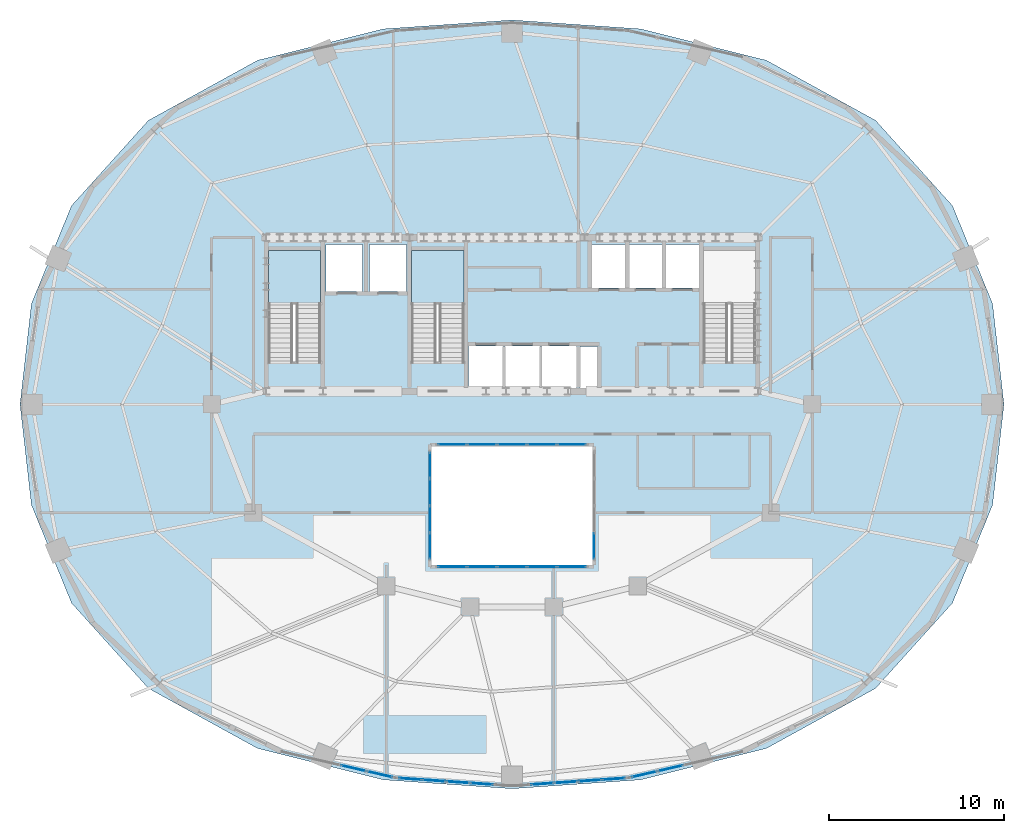
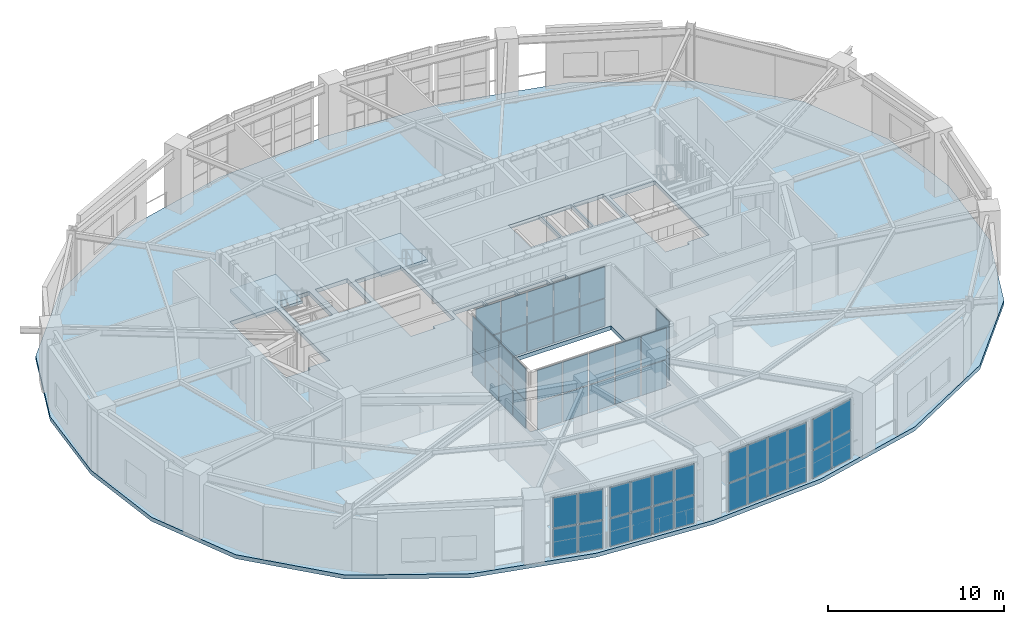
# One storey, part 9 of 16: 54 plates, 3 slabs, 10 elements without a shape of their own.
"""IFC4 building model written with IfcOpenShell, lengths in metres."""

from ifc_helpers import new_model, si_unit, direction, frame, origin, origin_2d, place, context, subcontext, project, spatial, polyline, rectangle, outline, extrude, material, layer, layer_set, type_object, element, aggregate, save


model = new_model("IFC4")

# Units and contexts
model_context = context("Model", 3, precision=1e-05, world=origin(), true_north=direction((0.0, 1.0)))
body_context = subcontext(model_context, "Body", "Model", "MODEL_VIEW")
ifc_project = project(units=[si_unit("LENGTHUNIT", "METRE"), si_unit("AREAUNIT", "SQUARE_METRE"), si_unit("VOLUMEUNIT", "CUBIC_METRE"), si_unit("PLANEANGLEUNIT", "RADIAN"), si_unit("MASSUNIT", "GRAM", prefix="KILO")], contexts=[model_context])

# Site, building, storey
site_placement = place(None, origin())
site = spatial("IfcSite", under=ifc_project, at=site_placement, CompositionType="ELEMENT")
building_placement = place(site_placement, origin())
building = spatial("IfcBuilding", under=site, at=building_placement, Name="Haldorwick Loom Tower", CompositionType="ELEMENT")
storey_placement = place(building_placement, frame((0.0, 0.0, 200.35009765625)))
storey = spatial("IfcBuildingStorey", under=building, at=storey_placement, Name="L54", CompositionType="ELEMENT", Elevation=200.35009765625)

# Curtain wall, plates
ifc_material_1 = material(Name="Thermally Broken Anodized Aluminium Curtain Wall Framing", Category="aluminium")
curtain_wall_type_1 = type_object("IfcCurtainWallType", Name="ARC-CW-03", PredefinedType="NOTDEFINED", material=ifc_material_1)
curtain_wall_1_placement = place(storey_placement, origin())
curtain_wall_1 = element("IfcCurtainWall", 1, at=curtain_wall_1_placement, inside=storey, type_object=curtain_wall_type_1, Name="L54 Atrium Glazed Screen S", PredefinedType="NOTDEFINED")
ifc_material_2 = material(Name="Triple-Glazed Low-E Argon Insulated Glazing Unit", Category="glass")
ifc_layer_1 = layer(ifc_material_2, 0.04296875, Name="Triple-Glazed Low-E Argon Insulated Glazing Unit", Category="glass")
ifc_layer_set_1 = layer_set([ifc_layer_1], Name="Triple-Glazed Low-E Argon Insulated Glazing Unit")
plate_type_1 = type_object("IfcPlateType", Name="ARC-CWP-03", PredefinedType="CURTAIN_PANEL", material=ifc_layer_set_1)
plate_1_placement = place(storey_placement, frame((39.423583984375, 16.699951171875, 0.06591796875), z_axis=(0.0, 0.0, 1.0), x_axis=(-1.0, 0.0, 0.0)))
plate_1 = element("IfcPlate", 2, at=plate_1_placement, type_object=plate_type_1, Name="CW-03 panel 1.1", PredefinedType="CURTAIN_PANEL", context=body_context, shape_type="SweptSolid", body=[
    extrude(rectangle(XDim=1.62109375, YDim=0.04296875, at=origin_2d()), origin(), (0.0, 0.0, 1.0), 1.90087890625),
])
plate_2_placement = place(storey_placement, frame((39.423583984375, 16.699951171875, 2.03271484375), z_axis=(0.0, 0.0, 1.0), x_axis=(-1.0, 0.0, 0.0)))
plate_2 = element("IfcPlate", 3, at=plate_2_placement, type_object=plate_type_1, Name="CW-03 panel 1.2", PredefinedType="CURTAIN_PANEL", context=body_context, shape_type="SweptSolid", body=[
    extrude(rectangle(XDim=1.62109375, YDim=0.04296875, at=origin_2d()), origin(), (0.0, 0.0, 1.0), 2.160888671875),
])
plate_3_placement = place(storey_placement, frame((37.719970703125, 16.699951171875, 0.06591796875), z_axis=(0.0, 0.0, 1.0), x_axis=(-1.0, 0.0, 0.0)))
plate_3 = element("IfcPlate", 4, at=plate_3_placement, type_object=plate_type_1, Name="CW-03 panel 2.1", PredefinedType="CURTAIN_PANEL", context=body_context, shape_type="SweptSolid", body=[
    extrude(rectangle(XDim=1.654052734375, YDim=0.04296875, at=origin_2d()), origin(), (0.0, 0.0, 1.0), 1.90087890625),
])
plate_4_placement = place(storey_placement, frame((37.719970703125, 16.699951171875, 2.03271484375), z_axis=(0.0, 0.0, 1.0), x_axis=(-1.0, 0.0, 0.0)))
plate_4 = element("IfcPlate", 5, at=plate_4_placement, type_object=plate_type_1, Name="CW-03 panel 2.2", PredefinedType="CURTAIN_PANEL", context=body_context, shape_type="SweptSolid", body=[
    extrude(rectangle(XDim=1.654052734375, YDim=0.04296875, at=origin_2d()), origin(), (0.0, 0.0, 1.0), 2.160888671875),
])
plate_5_placement = place(storey_placement, frame((36.0, 16.699951171875, 0.06591796875), z_axis=(0.0, 0.0, 1.0), x_axis=(-1.0, 0.0, 0.0)))
plate_5 = element("IfcPlate", 6, at=plate_5_placement, type_object=plate_type_1, Name="CW-03 panel 3.1", PredefinedType="CURTAIN_PANEL", context=body_context, shape_type="SweptSolid", body=[
    extrude(rectangle(XDim=1.654052734375, YDim=0.04296875, at=origin_2d()), origin(), (0.0, 0.0, 1.0), 1.90087890625),
])
plate_6_placement = place(storey_placement, frame((36.0, 16.699951171875, 2.03271484375), z_axis=(0.0, 0.0, 1.0), x_axis=(-1.0, 0.0, 0.0)))
plate_6 = element("IfcPlate", 7, at=plate_6_placement, type_object=plate_type_1, Name="CW-03 panel 3.2", PredefinedType="CURTAIN_PANEL", context=body_context, shape_type="SweptSolid", body=[
    extrude(rectangle(XDim=1.654052734375, YDim=0.04296875, at=origin_2d()), origin(), (0.0, 0.0, 1.0), 2.160888671875),
])
plate_7_placement = place(storey_placement, frame((34.280029296875, 16.699951171875, 0.06591796875), z_axis=(0.0, 0.0, 1.0), x_axis=(-1.0, 0.0, 0.0)))
plate_7 = element("IfcPlate", 8, at=plate_7_placement, type_object=plate_type_1, Name="CW-03 panel 4.1", PredefinedType="CURTAIN_PANEL", context=body_context, shape_type="SweptSolid", body=[
    extrude(rectangle(XDim=1.654052734375, YDim=0.04296875, at=origin_2d()), origin(), (0.0, 0.0, 1.0), 1.90087890625),
])
plate_8_placement = place(storey_placement, frame((34.280029296875, 16.699951171875, 2.03271484375), z_axis=(0.0, 0.0, 1.0), x_axis=(-1.0, 0.0, 0.0)))
plate_8 = element("IfcPlate", 9, at=plate_8_placement, type_object=plate_type_1, Name="CW-03 panel 4.2", PredefinedType="CURTAIN_PANEL", context=body_context, shape_type="SweptSolid", body=[
    extrude(rectangle(XDim=1.654052734375, YDim=0.04296875, at=origin_2d()), origin(), (0.0, 0.0, 1.0), 2.160888671875),
])
plate_9_placement = place(storey_placement, frame((32.576416015625, 16.699951171875, 0.06591796875), z_axis=(0.0, 0.0, 1.0), x_axis=(-1.0, 0.0, 0.0)))
plate_9 = element("IfcPlate", 10, at=plate_9_placement, type_object=plate_type_1, Name="CW-03 panel 5.1", PredefinedType="CURTAIN_PANEL", context=body_context, shape_type="SweptSolid", body=[
    extrude(rectangle(XDim=1.62109375, YDim=0.04296875, at=origin_2d()), origin(), (0.0, 0.0, 1.0), 1.90087890625),
])
plate_10_placement = place(storey_placement, frame((32.576416015625, 16.699951171875, 2.03271484375), z_axis=(0.0, 0.0, 1.0), x_axis=(-1.0, 0.0, 0.0)))
plate_10 = element("IfcPlate", 11, at=plate_10_placement, type_object=plate_type_1, Name="CW-03 panel 5.2", PredefinedType="CURTAIN_PANEL", context=body_context, shape_type="SweptSolid", body=[
    extrude(rectangle(XDim=1.62109375, YDim=0.04296875, at=origin_2d()), origin(), (0.0, 0.0, 1.0), 2.160888671875),
])
aggregate(curtain_wall_1, [plate_1, plate_2, plate_3, plate_4, plate_5, plate_6, plate_7, plate_8, plate_9, plate_10])

curtain_wall_2_placement = place(storey_placement, origin())
curtain_wall_2 = element("IfcCurtainWall", 12, at=curtain_wall_2_placement, inside=storey, type_object=curtain_wall_type_1, Name="L54 Atrium Glazed Screen N", PredefinedType="NOTDEFINED")
plate_11_placement = place(storey_placement, frame((32.576416015625, 23.699951171875, 0.06591796875), z_axis=(0.0, 0.0, 1.0), x_axis=(1.0, 0.0, 0.0)))
plate_11 = element("IfcPlate", 13, at=plate_11_placement, type_object=plate_type_1, Name="CW-03 panel 1.1", PredefinedType="CURTAIN_PANEL", context=body_context, shape_type="SweptSolid", body=[
    extrude(rectangle(XDim=1.62109375, YDim=0.04296875, at=origin_2d()), origin(), (0.0, 0.0, 1.0), 1.90087890625),
])
plate_12_placement = place(storey_placement, frame((32.576416015625, 23.699951171875, 2.03271484375), z_axis=(0.0, 0.0, 1.0), x_axis=(1.0, 0.0, 0.0)))
plate_12 = element("IfcPlate", 14, at=plate_12_placement, type_object=plate_type_1, Name="CW-03 panel 1.2", PredefinedType="CURTAIN_PANEL", context=body_context, shape_type="SweptSolid", body=[
    extrude(rectangle(XDim=1.62109375, YDim=0.04296875, at=origin_2d()), origin(), (0.0, 0.0, 1.0), 2.160888671875),
])
plate_13_placement = place(storey_placement, frame((34.280029296875, 23.699951171875, 0.06591796875), z_axis=(0.0, 0.0, 1.0), x_axis=(1.0, 0.0, 0.0)))
plate_13 = element("IfcPlate", 15, at=plate_13_placement, type_object=plate_type_1, Name="CW-03 panel 2.1", PredefinedType="CURTAIN_PANEL", context=body_context, shape_type="SweptSolid", body=[
    extrude(rectangle(XDim=1.654052734375, YDim=0.04296875, at=origin_2d()), origin(), (0.0, 0.0, 1.0), 1.90087890625),
])
plate_14_placement = place(storey_placement, frame((34.280029296875, 23.699951171875, 2.03271484375), z_axis=(0.0, 0.0, 1.0), x_axis=(1.0, 0.0, 0.0)))
plate_14 = element("IfcPlate", 16, at=plate_14_placement, type_object=plate_type_1, Name="CW-03 panel 2.2", PredefinedType="CURTAIN_PANEL", context=body_context, shape_type="SweptSolid", body=[
    extrude(rectangle(XDim=1.654052734375, YDim=0.04296875, at=origin_2d()), origin(), (0.0, 0.0, 1.0), 2.160888671875),
])
plate_15_placement = place(storey_placement, frame((36.0, 23.699951171875, 0.06591796875), z_axis=(0.0, 0.0, 1.0), x_axis=(1.0, 0.0, 0.0)))
plate_15 = element("IfcPlate", 17, at=plate_15_placement, type_object=plate_type_1, Name="CW-03 panel 3.1", PredefinedType="CURTAIN_PANEL", context=body_context, shape_type="SweptSolid", body=[
    extrude(rectangle(XDim=1.654052734375, YDim=0.04296875, at=origin_2d()), origin(), (0.0, 0.0, 1.0), 1.90087890625),
])
plate_16_placement = place(storey_placement, frame((36.0, 23.699951171875, 2.03271484375), z_axis=(0.0, 0.0, 1.0), x_axis=(1.0, 0.0, 0.0)))
plate_16 = element("IfcPlate", 18, at=plate_16_placement, type_object=plate_type_1, Name="CW-03 panel 3.2", PredefinedType="CURTAIN_PANEL", context=body_context, shape_type="SweptSolid", body=[
    extrude(rectangle(XDim=1.654052734375, YDim=0.04296875, at=origin_2d()), origin(), (0.0, 0.0, 1.0), 2.160888671875),
])
plate_17_placement = place(storey_placement, frame((37.719970703125, 23.699951171875, 0.06591796875), z_axis=(0.0, 0.0, 1.0), x_axis=(1.0, 0.0, 0.0)))
plate_17 = element("IfcPlate", 19, at=plate_17_placement, type_object=plate_type_1, Name="CW-03 panel 4.1", PredefinedType="CURTAIN_PANEL", context=body_context, shape_type="SweptSolid", body=[
    extrude(rectangle(XDim=1.654052734375, YDim=0.04296875, at=origin_2d()), origin(), (0.0, 0.0, 1.0), 1.90087890625),
])
plate_18_placement = place(storey_placement, frame((37.719970703125, 23.699951171875, 2.03271484375), z_axis=(0.0, 0.0, 1.0), x_axis=(1.0, 0.0, 0.0)))
plate_18 = element("IfcPlate", 20, at=plate_18_placement, type_object=plate_type_1, Name="CW-03 panel 4.2", PredefinedType="CURTAIN_PANEL", context=body_context, shape_type="SweptSolid", body=[
    extrude(rectangle(XDim=1.654052734375, YDim=0.04296875, at=origin_2d()), origin(), (0.0, 0.0, 1.0), 2.160888671875),
])
plate_19_placement = place(storey_placement, frame((39.423583984375, 23.699951171875, 0.06591796875), z_axis=(0.0, 0.0, 1.0), x_axis=(1.0, 0.0, 0.0)))
plate_19 = element("IfcPlate", 21, at=plate_19_placement, type_object=plate_type_1, Name="CW-03 panel 5.1", PredefinedType="CURTAIN_PANEL", context=body_context, shape_type="SweptSolid", body=[
    extrude(rectangle(XDim=1.62109375, YDim=0.04296875, at=origin_2d()), origin(), (0.0, 0.0, 1.0), 1.90087890625),
])
plate_20_placement = place(storey_placement, frame((39.423583984375, 23.699951171875, 2.03271484375), z_axis=(0.0, 0.0, 1.0), x_axis=(1.0, 0.0, 0.0)))
plate_20 = element("IfcPlate", 22, at=plate_20_placement, type_object=plate_type_1, Name="CW-03 panel 5.2", PredefinedType="CURTAIN_PANEL", context=body_context, shape_type="SweptSolid", body=[
    extrude(rectangle(XDim=1.62109375, YDim=0.04296875, at=origin_2d()), origin(), (0.0, 0.0, 1.0), 2.160888671875),
])
aggregate(curtain_wall_2, [plate_11, plate_12, plate_13, plate_14, plate_15, plate_16, plate_17, plate_18, plate_19, plate_20])

curtain_wall_3_placement = place(storey_placement, origin())
curtain_wall_3 = element("IfcCurtainWall", 23, at=curtain_wall_3_placement, inside=storey, type_object=curtain_wall_type_1, Name="L54 Atrium Glazed Screen W", PredefinedType="NOTDEFINED")
plate_21_placement = place(storey_placement, frame((31.300048828125, 17.8916015625, 0.06591796875), z_axis=(0.0, 0.0, 1.0), x_axis=(0.0, 1.0, 0.0)))
plate_21 = element("IfcPlate", 24, at=plate_21_placement, type_object=plate_type_1, Name="CW-03 panel 1.1", PredefinedType="CURTAIN_PANEL", context=body_context, shape_type="SweptSolid", body=[
    extrude(rectangle(XDim=1.450927734375, YDim=0.04296875, at=origin_2d()), origin(), (0.0, 0.0, 1.0), 1.90087890625),
])
plate_22_placement = place(storey_placement, frame((31.300048828125, 17.8916015625, 2.03271484375), z_axis=(0.0, 0.0, 1.0), x_axis=(0.0, 1.0, 0.0)))
plate_22 = element("IfcPlate", 25, at=plate_22_placement, type_object=plate_type_1, Name="CW-03 panel 1.2", PredefinedType="CURTAIN_PANEL", context=body_context, shape_type="SweptSolid", body=[
    extrude(rectangle(XDim=1.450927734375, YDim=0.04296875, at=origin_2d()), origin(), (0.0, 0.0, 1.0), 2.160888671875),
])
plate_23_placement = place(storey_placement, frame((31.300048828125, 19.425048828125, 0.06591796875), z_axis=(0.0, 0.0, 1.0), x_axis=(0.0, 1.0, 0.0)))
plate_23 = element("IfcPlate", 26, at=plate_23_placement, type_object=plate_type_1, Name="CW-03 panel 2.1", PredefinedType="CURTAIN_PANEL", context=body_context, shape_type="SweptSolid", body=[
    extrude(rectangle(XDim=1.48388671875, YDim=0.04296875, at=origin_2d()), origin(), (0.0, 0.0, 1.0), 1.90087890625),
])
plate_24_placement = place(storey_placement, frame((31.300048828125, 19.425048828125, 2.03271484375), z_axis=(0.0, 0.0, 1.0), x_axis=(0.0, 1.0, 0.0)))
plate_24 = element("IfcPlate", 27, at=plate_24_placement, type_object=plate_type_1, Name="CW-03 panel 2.2", PredefinedType="CURTAIN_PANEL", context=body_context, shape_type="SweptSolid", body=[
    extrude(rectangle(XDim=1.48388671875, YDim=0.04296875, at=origin_2d()), origin(), (0.0, 0.0, 1.0), 2.160888671875),
])
plate_25_placement = place(storey_placement, frame((31.300048828125, 20.97509765625, 0.06591796875), z_axis=(0.0, 0.0, 1.0), x_axis=(0.0, 1.0, 0.0)))
plate_25 = element("IfcPlate", 28, at=plate_25_placement, type_object=plate_type_1, Name="CW-03 panel 3.1", PredefinedType="CURTAIN_PANEL", context=body_context, shape_type="SweptSolid", body=[
    extrude(rectangle(XDim=1.48388671875, YDim=0.04296875, at=origin_2d()), origin(), (0.0, 0.0, 1.0), 1.90087890625),
])
plate_26_placement = place(storey_placement, frame((31.300048828125, 20.97509765625, 2.03271484375), z_axis=(0.0, 0.0, 1.0), x_axis=(0.0, 1.0, 0.0)))
plate_26 = element("IfcPlate", 29, at=plate_26_placement, type_object=plate_type_1, Name="CW-03 panel 3.2", PredefinedType="CURTAIN_PANEL", context=body_context, shape_type="SweptSolid", body=[
    extrude(rectangle(XDim=1.48388671875, YDim=0.04296875, at=origin_2d()), origin(), (0.0, 0.0, 1.0), 2.160888671875),
])
plate_27_placement = place(storey_placement, frame((31.300048828125, 22.508544921875, 0.06591796875), z_axis=(0.0, 0.0, 1.0), x_axis=(0.0, 1.0, 0.0)))
plate_27 = element("IfcPlate", 30, at=plate_27_placement, type_object=plate_type_1, Name="CW-03 panel 4.1", PredefinedType="CURTAIN_PANEL", context=body_context, shape_type="SweptSolid", body=[
    extrude(rectangle(XDim=1.450927734375, YDim=0.04296875, at=origin_2d()), origin(), (0.0, 0.0, 1.0), 1.90087890625),
])
plate_28_placement = place(storey_placement, frame((31.300048828125, 22.508544921875, 2.03271484375), z_axis=(0.0, 0.0, 1.0), x_axis=(0.0, 1.0, 0.0)))
plate_28 = element("IfcPlate", 31, at=plate_28_placement, type_object=plate_type_1, Name="CW-03 panel 4.2", PredefinedType="CURTAIN_PANEL", context=body_context, shape_type="SweptSolid", body=[
    extrude(rectangle(XDim=1.450927734375, YDim=0.04296875, at=origin_2d()), origin(), (0.0, 0.0, 1.0), 2.160888671875),
])
aggregate(curtain_wall_3, [plate_21, plate_22, plate_23, plate_24, plate_25, plate_26, plate_27, plate_28])

curtain_wall_4_placement = place(storey_placement, origin())
curtain_wall_4 = element("IfcCurtainWall", 32, at=curtain_wall_4_placement, inside=storey, type_object=curtain_wall_type_1, Name="L54 Atrium Glazed Screen E", PredefinedType="NOTDEFINED")
plate_29_placement = place(storey_placement, frame((40.699951171875, 17.8916015625, 0.06591796875), z_axis=(0.0, 0.0, 1.0), x_axis=(0.0, -1.0, 0.0)))
plate_29 = element("IfcPlate", 33, at=plate_29_placement, type_object=plate_type_1, Name="CW-03 panel 4.1", PredefinedType="CURTAIN_PANEL", context=body_context, shape_type="SweptSolid", body=[
    extrude(rectangle(XDim=1.450927734375, YDim=0.04296875, at=origin_2d()), origin(), (0.0, 0.0, 1.0), 1.90087890625),
])
plate_30_placement = place(storey_placement, frame((40.699951171875, 17.8916015625, 2.03271484375), z_axis=(0.0, 0.0, 1.0), x_axis=(0.0, -1.0, 0.0)))
plate_30 = element("IfcPlate", 34, at=plate_30_placement, type_object=plate_type_1, Name="CW-03 panel 4.2", PredefinedType="CURTAIN_PANEL", context=body_context, shape_type="SweptSolid", body=[
    extrude(rectangle(XDim=1.450927734375, YDim=0.04296875, at=origin_2d()), origin(), (0.0, 0.0, 1.0), 2.160888671875),
])
aggregate(curtain_wall_4, [plate_29, plate_30])

curtain_wall_type_2 = type_object("IfcCurtainWallType", Name="ARC-CW-04", PredefinedType="NOTDEFINED", material=ifc_material_1)
curtain_wall_5_placement = place(storey_placement, origin())
curtain_wall_5 = element("IfcCurtainWall", 35, at=curtain_wall_5_placement, inside=storey, type_object=curtain_wall_type_2, Name="L54 Facade Curtain Wall CW-04 Bay 17", PredefinedType="NOTDEFINED")
ifc_layer_2 = layer(ifc_material_2, 0.0458984375, Name="Triple-Glazed Low-E Argon Insulated Glazing Unit", Category="glass")
ifc_layer_set_2 = layer_set([ifc_layer_2], Name="Triple-Glazed Low-E Argon Insulated Glazing Unit")
plate_type_2 = type_object("IfcPlateType", Name="ARC-CWP-04", PredefinedType="CURTAIN_PANEL", material=ifc_layer_set_2)
plate_31_placement = place(storey_placement, frame((26.932861328125, 5.165283203125, 0.072021484375), z_axis=(0.0, 0.0, 1.0), x_axis=(0.974556585323, -0.224141611493, 0.0)))
plate_31 = element("IfcPlate", 36, at=plate_31_placement, type_object=plate_type_2, Name="CW-04 panel 1.1", PredefinedType="CURTAIN_PANEL", context=body_context, shape_type="SweptSolid", body=[
    extrude(rectangle(XDim=1.453857421875, YDim=0.0458984375, at=origin_2d()), origin(), (0.0, 0.0, 1.0), 1.94189453125),
])
plate_32_placement = place(storey_placement, frame((26.932861328125, 5.165283203125, 2.0859375), z_axis=(0.0, 0.0, 1.0), x_axis=(0.974556585323, -0.224141611493, 0.0)))
plate_32 = element("IfcPlate", 37, at=plate_32_placement, type_object=plate_type_2, Name="CW-04 panel 1.2", PredefinedType="CURTAIN_PANEL", context=body_context, shape_type="SweptSolid", body=[
    extrude(rectangle(XDim=1.453857421875, YDim=0.0458984375, at=origin_2d()), origin(), (0.0, 0.0, 1.0), 2.10205078125),
])
plate_33_placement = place(storey_placement, frame((28.419677734375, 4.8232421875, 0.072021484375), z_axis=(0.0, 0.0, 1.0), x_axis=(0.974556585323, -0.224141611493, 0.0)))
plate_33 = element("IfcPlate", 38, at=plate_33_placement, type_object=plate_type_2, Name="CW-04 panel 2.1", PredefinedType="CURTAIN_PANEL", context=body_context, shape_type="SweptSolid", body=[
    extrude(rectangle(XDim=1.453857421875, YDim=0.0458984375, at=origin_2d()), origin(), (0.0, 0.0, 1.0), 1.94189453125),
])
plate_34_placement = place(storey_placement, frame((28.419677734375, 4.8232421875, 2.0859375), z_axis=(0.0, 0.0, 1.0), x_axis=(0.974556585323, -0.224141611493, 0.0)))
plate_34 = element("IfcPlate", 39, at=plate_34_placement, type_object=plate_type_2, Name="CW-04 panel 2.2", PredefinedType="CURTAIN_PANEL", context=body_context, shape_type="SweptSolid", body=[
    extrude(rectangle(XDim=1.453857421875, YDim=0.0458984375, at=origin_2d()), origin(), (0.0, 0.0, 1.0), 2.10205078125),
])
aggregate(curtain_wall_5, [plate_31, plate_32, plate_33, plate_34])

curtain_wall_6_placement = place(storey_placement, origin())
curtain_wall_6 = element("IfcCurtainWall", 40, at=curtain_wall_6_placement, inside=storey, type_object=curtain_wall_type_2, Name="L54 Facade Curtain Wall CW-04 Bay 18", PredefinedType="NOTDEFINED")
plate_35_placement = place(storey_placement, frame((30.1787109375, 4.554931640625, 0.072021484375), z_axis=(0.0, 0.0, 1.0), x_axis=(0.997650196741, -0.068513392431, 0.0)))
plate_35 = element("IfcPlate", 41, at=plate_35_placement, type_object=plate_type_2, Name="CW-04 panel 1.1", PredefinedType="CURTAIN_PANEL", context=body_context, shape_type="SweptSolid", body=[
    extrude(rectangle(XDim=1.26806640625, YDim=0.0458984375, at=origin_2d()), origin(), (0.0, 0.0, 1.0), 1.94189453125),
])
plate_36_placement = place(storey_placement, frame((30.1787109375, 4.554931640625, 2.0859375), z_axis=(0.0, 0.0, 1.0), x_axis=(0.997650196741, -0.068513392431, 0.0)))
plate_36 = element("IfcPlate", 42, at=plate_36_placement, type_object=plate_type_2, Name="CW-04 panel 1.2", PredefinedType="CURTAIN_PANEL", context=body_context, shape_type="SweptSolid", body=[
    extrude(rectangle(XDim=1.26806640625, YDim=0.0458984375, at=origin_2d()), origin(), (0.0, 0.0, 1.0), 2.10205078125),
])
plate_37_placement = place(storey_placement, frame((31.533447265625, 4.461669921875, 0.072021484375), z_axis=(0.0, 0.0, 1.0), x_axis=(0.997650196741, -0.068513392431, 0.0)))
plate_37 = element("IfcPlate", 43, at=plate_37_placement, type_object=plate_type_2, Name="CW-04 panel 2.1", PredefinedType="CURTAIN_PANEL", context=body_context, shape_type="SweptSolid", body=[
    extrude(rectangle(XDim=1.303955078125, YDim=0.0458984375, at=origin_2d()), origin(), (0.0, 0.0, 1.0), 1.94189453125),
])
plate_38_placement = place(storey_placement, frame((31.533447265625, 4.461669921875, 2.0859375), z_axis=(0.0, 0.0, 1.0), x_axis=(0.997650196741, -0.068513392431, 0.0)))
plate_38 = element("IfcPlate", 44, at=plate_38_placement, type_object=plate_type_2, Name="CW-04 panel 2.2", PredefinedType="CURTAIN_PANEL", context=body_context, shape_type="SweptSolid", body=[
    extrude(rectangle(XDim=1.303955078125, YDim=0.0458984375, at=origin_2d()), origin(), (0.0, 0.0, 1.0), 2.10205078125),
])
plate_39_placement = place(storey_placement, frame((32.90625, 4.367431640625, 0.072021484375), z_axis=(0.0, 0.0, 1.0), x_axis=(0.997650196741, -0.068513392431, 0.0)))
plate_39 = element("IfcPlate", 45, at=plate_39_placement, type_object=plate_type_2, Name="CW-04 panel 3.1", PredefinedType="CURTAIN_PANEL", context=body_context, shape_type="SweptSolid", body=[
    extrude(rectangle(XDim=1.303955078125, YDim=0.0458984375, at=origin_2d()), origin(), (0.0, 0.0, 1.0), 1.94189453125),
])
plate_40_placement = place(storey_placement, frame((32.90625, 4.367431640625, 2.0859375), z_axis=(0.0, 0.0, 1.0), x_axis=(0.997650196741, -0.068513392431, 0.0)))
plate_40 = element("IfcPlate", 46, at=plate_40_placement, type_object=plate_type_2, Name="CW-04 panel 3.2", PredefinedType="CURTAIN_PANEL", context=body_context, shape_type="SweptSolid", body=[
    extrude(rectangle(XDim=1.303955078125, YDim=0.0458984375, at=origin_2d()), origin(), (0.0, 0.0, 1.0), 2.10205078125),
])
plate_41_placement = place(storey_placement, frame((34.260986328125, 4.2744140625, 0.072021484375), z_axis=(0.0, 0.0, 1.0), x_axis=(0.997650196741, -0.068513392431, 0.0)))
plate_41 = element("IfcPlate", 47, at=plate_41_placement, type_object=plate_type_2, Name="CW-04 panel 4.1", PredefinedType="CURTAIN_PANEL", context=body_context, shape_type="SweptSolid", body=[
    extrude(rectangle(XDim=1.26806640625, YDim=0.0458984375, at=origin_2d()), origin(), (0.0, 0.0, 1.0), 1.94189453125),
])
plate_42_placement = place(storey_placement, frame((34.260986328125, 4.2744140625, 2.0859375), z_axis=(0.0, 0.0, 1.0), x_axis=(0.997650196741, -0.068513392431, 0.0)))
plate_42 = element("IfcPlate", 48, at=plate_42_placement, type_object=plate_type_2, Name="CW-04 panel 4.2", PredefinedType="CURTAIN_PANEL", context=body_context, shape_type="SweptSolid", body=[
    extrude(rectangle(XDim=1.26806640625, YDim=0.0458984375, at=origin_2d()), origin(), (0.0, 0.0, 1.0), 2.10205078125),
])
aggregate(curtain_wall_6, [plate_35, plate_36, plate_37, plate_38, plate_39, plate_40, plate_41, plate_42])

curtain_wall_7_placement = place(storey_placement, origin())
curtain_wall_7 = element("IfcCurtainWall", 49, at=curtain_wall_7_placement, inside=storey, type_object=curtain_wall_type_2, Name="L54 Facade Curtain Wall CW-04 Bay 19", PredefinedType="NOTDEFINED")
plate_43_placement = place(storey_placement, frame((37.739013671875, 4.2744140625, 0.072021484375), z_axis=(0.0, 0.0, 1.0), x_axis=(0.997650196741, 0.068513392431, 0.0)))
plate_43 = element("IfcPlate", 50, at=plate_43_placement, type_object=plate_type_2, Name="CW-04 panel 1.1", PredefinedType="CURTAIN_PANEL", context=body_context, shape_type="SweptSolid", body=[
    extrude(rectangle(XDim=1.26806640625, YDim=0.0458984375, at=origin_2d()), origin(), (0.0, 0.0, 1.0), 1.94189453125),
])
plate_44_placement = place(storey_placement, frame((37.739013671875, 4.2744140625, 2.0859375), z_axis=(0.0, 0.0, 1.0), x_axis=(0.997650196741, 0.068513392431, 0.0)))
plate_44 = element("IfcPlate", 51, at=plate_44_placement, type_object=plate_type_2, Name="CW-04 panel 1.2", PredefinedType="CURTAIN_PANEL", context=body_context, shape_type="SweptSolid", body=[
    extrude(rectangle(XDim=1.26806640625, YDim=0.0458984375, at=origin_2d()), origin(), (0.0, 0.0, 1.0), 2.10205078125),
])
plate_45_placement = place(storey_placement, frame((39.09375, 4.367431640625, 0.072021484375), z_axis=(0.0, 0.0, 1.0), x_axis=(0.997650196741, 0.068513392431, 0.0)))
plate_45 = element("IfcPlate", 52, at=plate_45_placement, type_object=plate_type_2, Name="CW-04 panel 2.1", PredefinedType="CURTAIN_PANEL", context=body_context, shape_type="SweptSolid", body=[
    extrude(rectangle(XDim=1.303955078125, YDim=0.0458984375, at=origin_2d()), origin(), (0.0, 0.0, 1.0), 1.94189453125),
])
plate_46_placement = place(storey_placement, frame((39.09375, 4.367431640625, 2.0859375), z_axis=(0.0, 0.0, 1.0), x_axis=(0.997650196741, 0.068513392431, 0.0)))
plate_46 = element("IfcPlate", 53, at=plate_46_placement, type_object=plate_type_2, Name="CW-04 panel 2.2", PredefinedType="CURTAIN_PANEL", context=body_context, shape_type="SweptSolid", body=[
    extrude(rectangle(XDim=1.303955078125, YDim=0.0458984375, at=origin_2d()), origin(), (0.0, 0.0, 1.0), 2.10205078125),
])
plate_47_placement = place(storey_placement, frame((40.466552734375, 4.461669921875, 0.072021484375), z_axis=(0.0, 0.0, 1.0), x_axis=(0.997650196741, 0.068513392431, 0.0)))
plate_47 = element("IfcPlate", 54, at=plate_47_placement, type_object=plate_type_2, Name="CW-04 panel 3.1", PredefinedType="CURTAIN_PANEL", context=body_context, shape_type="SweptSolid", body=[
    extrude(rectangle(XDim=1.303955078125, YDim=0.0458984375, at=origin_2d()), origin(), (0.0, 0.0, 1.0), 1.94189453125),
])
plate_48_placement = place(storey_placement, frame((40.466552734375, 4.461669921875, 2.0859375), z_axis=(0.0, 0.0, 1.0), x_axis=(0.997650196741, 0.068513392431, 0.0)))
plate_48 = element("IfcPlate", 55, at=plate_48_placement, type_object=plate_type_2, Name="CW-04 panel 3.2", PredefinedType="CURTAIN_PANEL", context=body_context, shape_type="SweptSolid", body=[
    extrude(rectangle(XDim=1.303955078125, YDim=0.0458984375, at=origin_2d()), origin(), (0.0, 0.0, 1.0), 2.10205078125),
])
plate_49_placement = place(storey_placement, frame((41.8212890625, 4.554931640625, 0.072021484375), z_axis=(0.0, 0.0, 1.0), x_axis=(0.997650196741, 0.068513392431, 0.0)))
plate_49 = element("IfcPlate", 56, at=plate_49_placement, type_object=plate_type_2, Name="CW-04 panel 4.1", PredefinedType="CURTAIN_PANEL", context=body_context, shape_type="SweptSolid", body=[
    extrude(rectangle(XDim=1.26806640625, YDim=0.0458984375, at=origin_2d()), origin(), (0.0, 0.0, 1.0), 1.94189453125),
])
plate_50_placement = place(storey_placement, frame((41.8212890625, 4.554931640625, 2.0859375), z_axis=(0.0, 0.0, 1.0), x_axis=(0.997650196741, 0.068513392431, 0.0)))
plate_50 = element("IfcPlate", 57, at=plate_50_placement, type_object=plate_type_2, Name="CW-04 panel 4.2", PredefinedType="CURTAIN_PANEL", context=body_context, shape_type="SweptSolid", body=[
    extrude(rectangle(XDim=1.26806640625, YDim=0.0458984375, at=origin_2d()), origin(), (0.0, 0.0, 1.0), 2.10205078125),
])
aggregate(curtain_wall_7, [plate_43, plate_44, plate_45, plate_46, plate_47, plate_48, plate_49, plate_50])

curtain_wall_8_placement = place(storey_placement, origin())
curtain_wall_8 = element("IfcCurtainWall", 58, at=curtain_wall_8_placement, inside=storey, type_object=curtain_wall_type_2, Name="L54 Facade Curtain Wall CW-04 Bay 20", PredefinedType="NOTDEFINED")
plate_51_placement = place(storey_placement, frame((43.580322265625, 4.8232421875, 0.072021484375), z_axis=(0.0, 0.0, 1.0), x_axis=(0.974556585323, 0.224141611493, 0.0)))
plate_51 = element("IfcPlate", 59, at=plate_51_placement, type_object=plate_type_2, Name="CW-04 panel 1.1", PredefinedType="CURTAIN_PANEL", context=body_context, shape_type="SweptSolid", body=[
    extrude(rectangle(XDim=1.453857421875, YDim=0.0458984375, at=origin_2d()), origin(), (0.0, 0.0, 1.0), 1.94189453125),
])
plate_52_placement = place(storey_placement, frame((43.580322265625, 4.8232421875, 2.0859375), z_axis=(0.0, 0.0, 1.0), x_axis=(0.974556585323, 0.224141611493, 0.0)))
plate_52 = element("IfcPlate", 60, at=plate_52_placement, type_object=plate_type_2, Name="CW-04 panel 1.2", PredefinedType="CURTAIN_PANEL", context=body_context, shape_type="SweptSolid", body=[
    extrude(rectangle(XDim=1.453857421875, YDim=0.0458984375, at=origin_2d()), origin(), (0.0, 0.0, 1.0), 2.10205078125),
])
plate_53_placement = place(storey_placement, frame((45.067138671875, 5.165283203125, 0.072021484375), z_axis=(0.0, 0.0, 1.0), x_axis=(0.974556585323, 0.224141611493, 0.0)))
plate_53 = element("IfcPlate", 61, at=plate_53_placement, type_object=plate_type_2, Name="CW-04 panel 2.1", PredefinedType="CURTAIN_PANEL", context=body_context, shape_type="SweptSolid", body=[
    extrude(rectangle(XDim=1.453857421875, YDim=0.0458984375, at=origin_2d()), origin(), (0.0, 0.0, 1.0), 1.94189453125),
])
plate_54_placement = place(storey_placement, frame((45.067138671875, 5.165283203125, 2.0859375), z_axis=(0.0, 0.0, 1.0), x_axis=(0.974556585323, 0.224141611493, 0.0)))
plate_54 = element("IfcPlate", 62, at=plate_54_placement, type_object=plate_type_2, Name="CW-04 panel 2.2", PredefinedType="CURTAIN_PANEL", context=body_context, shape_type="SweptSolid", body=[
    extrude(rectangle(XDim=1.453857421875, YDim=0.0458984375, at=origin_2d()), origin(), (0.0, 0.0, 1.0), 2.10205078125),
])
aggregate(curtain_wall_8, [plate_51, plate_52, plate_53, plate_54])

# Stair, slab
ifc_material_3 = material(Name="Concrete C40 (40 MPa)", Category="concrete")
stair_type = type_object("IfcStairType", Name="STR-STR-CORE", PredefinedType="HALF_TURN_STAIR", material=ifc_material_3)
stair_1_placement = place(storey_placement, origin())
stair_1 = element("IfcStair", 63, at=stair_1_placement, inside=storey, type_object=stair_type, Name="L54 Exit Stair ST-01", PredefinedType="HALF_TURN_STAIR")
ifc_layer_3 = layer(ifc_material_3, 0.199951171875, Name="Concrete C40 (40 MPa)", Category="concrete")
ifc_layer_set_3 = layer_set([ifc_layer_3], Name="Concrete C40 (40 MPa)")
slab_type_1 = type_object("IfcSlabType", Name="STR-SLB-LAND200", PredefinedType="LANDING", material=ifc_layer_set_3)
slab_1_placement = place(storey_placement, frame((0.0, 0.0, 2.0498046875)))
slab_1 = element("IfcSlab", 64, at=slab_1_placement, type_object=slab_type_1, Name="ST-01 landing 1", PredefinedType="LANDING", context=body_context, shape_type="SweptSolid", body=[
    extrude(outline(polyline([(25.050048828125, 31.760009765625), (25.050048828125, 34.800048828125), (22.050048828125, 34.800048828125), (22.050048828125, 31.760009765625), (25.050048828125, 31.760009765625)])), origin(), (0.0, 0.0, 1.0), 0.2001953125),
])
aggregate(stair_1, [slab_1])

stair_2_placement = place(storey_placement, origin())
stair_2 = element("IfcStair", 65, at=stair_2_placement, inside=storey, type_object=stair_type, Name="L54 Exit Stair ST-03", PredefinedType="HALF_TURN_STAIR")
slab_2_placement = place(storey_placement, frame((0.0, 0.0, 2.0498046875)))
slab_2 = element("IfcSlab", 66, at=slab_2_placement, type_object=slab_type_1, Name="ST-03 landing 1", PredefinedType="LANDING", context=body_context, shape_type="SweptSolid", body=[
    extrude(outline(polyline([(33.25, 31.760009765625), (33.25, 34.800048828125), (30.25, 34.800048828125), (30.25, 31.760009765625), (33.25, 31.760009765625)])), origin(), (0.0, 0.0, 1.0), 0.2001953125),
])
aggregate(stair_2, [slab_2])

# Slab
ifc_layer_4 = layer(ifc_material_3, 0.280029296875, Name="Concrete C40 (40 MPa)", Category="concrete")
ifc_layer_set_4 = layer_set([ifc_layer_4], Name="Concrete C40 (40 MPa)")
slab_type_2 = type_object("IfcSlabType", Name="STR-SLB-SKY280", PredefinedType="FLOOR", material=ifc_layer_set_4)
slab_3_placement = place(storey_placement, frame((0.0, 0.0, -0.280029296875)))
element("IfcSlab", 67, at=slab_3_placement, inside=storey, type_object=slab_type_2, Name="L54 Conservatory Structural Floor Slab", PredefinedType="FLOOR", context=body_context, shape_type="SweptSolid", body=[
    extrude(outline(polyline([(56.812744140625, 9.739990234375), (61.2158203125, 14.626220703125), (63.5126953125, 20.240478515625), (64.16650390625, 26.0), (63.5126953125, 31.759521484375), (61.2158203125, 37.373779296875), (56.812744140625, 42.260009765625), (50.558349609375, 45.699951171875), (43.3720703125, 47.494384765625), (36.0, 48.0048828125), (28.6279296875, 47.494384765625), (21.441650390625, 45.699951171875), (15.187255859375, 42.260009765625), (10.7841796875, 37.373779296875), (8.4873046875, 31.759521484375), (7.83349609375, 26.0), (8.4873046875, 20.240478515625), (10.7841796875, 14.626220703125), (15.187255859375, 9.739990234375), (21.441650390625, 6.300048828125), (28.6279296875, 4.505615234375), (36.0, 3.9951171875), (43.3720703125, 4.505615234375), (50.558349609375, 6.300048828125), (56.812744140625, 9.739990234375)]), holes=[polyline([(31.39990234375, 16.800048828125), (31.39990234375, 23.60009765625), (40.60009765625, 23.60009765625), (40.60009765625, 16.800048828125), (31.39990234375, 16.800048828125)]), polyline([(33.5, 26.85009765625), (33.5, 29.35009765625), (35.5, 29.35009765625), (35.5, 26.85009765625), (33.5, 26.85009765625)]), polyline([(35.60009765625, 26.85009765625), (35.60009765625, 29.35009765625), (37.60009765625, 29.35009765625), (37.60009765625, 26.85009765625), (35.60009765625, 26.85009765625)]), polyline([(23.6201171875, 28.39990234375), (22.050048828125, 28.39990234375), (22.050048828125, 34.800048828125), (25.050048828125, 34.800048828125), (25.050048828125, 28.639892578125), (23.6201171875, 28.639892578125), (23.6201171875, 28.39990234375)]), polyline([(30.25, 28.39990234375), (30.25, 34.800048828125), (33.25, 34.800048828125), (33.25, 28.639892578125), (31.820068359375, 28.639892578125), (31.820068359375, 28.39990234375), (30.25, 28.39990234375)]), polyline([(25.35009765625, 32.449951171875), (25.35009765625, 35.14990234375), (27.449951171875, 35.14990234375), (27.449951171875, 32.449951171875), (25.35009765625, 32.449951171875)]), polyline([(29.949951171875, 32.449951171875), (27.85009765625, 32.449951171875), (27.85009765625, 35.14990234375), (29.949951171875, 35.14990234375), (29.949951171875, 32.449951171875)]), polyline([(37.699951171875, 26.85009765625), (37.699951171875, 29.35009765625), (39.699951171875, 29.35009765625), (39.699951171875, 26.85009765625), (37.699951171875, 26.85009765625)]), polyline([(39.89990234375, 26.89990234375), (39.89990234375, 29.300048828125), (40.89990234375, 29.300048828125), (40.89990234375, 26.89990234375), (39.89990234375, 26.89990234375)]), polyline([(46.949951171875, 28.39990234375), (46.949951171875, 34.800048828125), (49.949951171875, 34.800048828125), (49.949951171875, 28.639892578125), (48.52001953125, 28.639892578125), (48.52001953125, 28.39990234375), (46.949951171875, 28.39990234375)]), polyline([(40.550048828125, 32.64990234375), (40.550048828125, 35.14990234375), (42.550048828125, 35.14990234375), (42.550048828125, 32.64990234375), (40.550048828125, 32.64990234375)]), polyline([(42.64990234375, 32.64990234375), (42.64990234375, 35.14990234375), (44.64990234375, 35.14990234375), (44.64990234375, 32.64990234375), (42.64990234375, 32.64990234375)]), polyline([(44.75, 32.64990234375), (44.75, 35.14990234375), (46.75, 35.14990234375), (46.75, 32.64990234375), (44.75, 32.64990234375)])]), origin(), (0.0, 0.0, 1.0), 0.280029296875),
])

save(model, "model.ifc")
